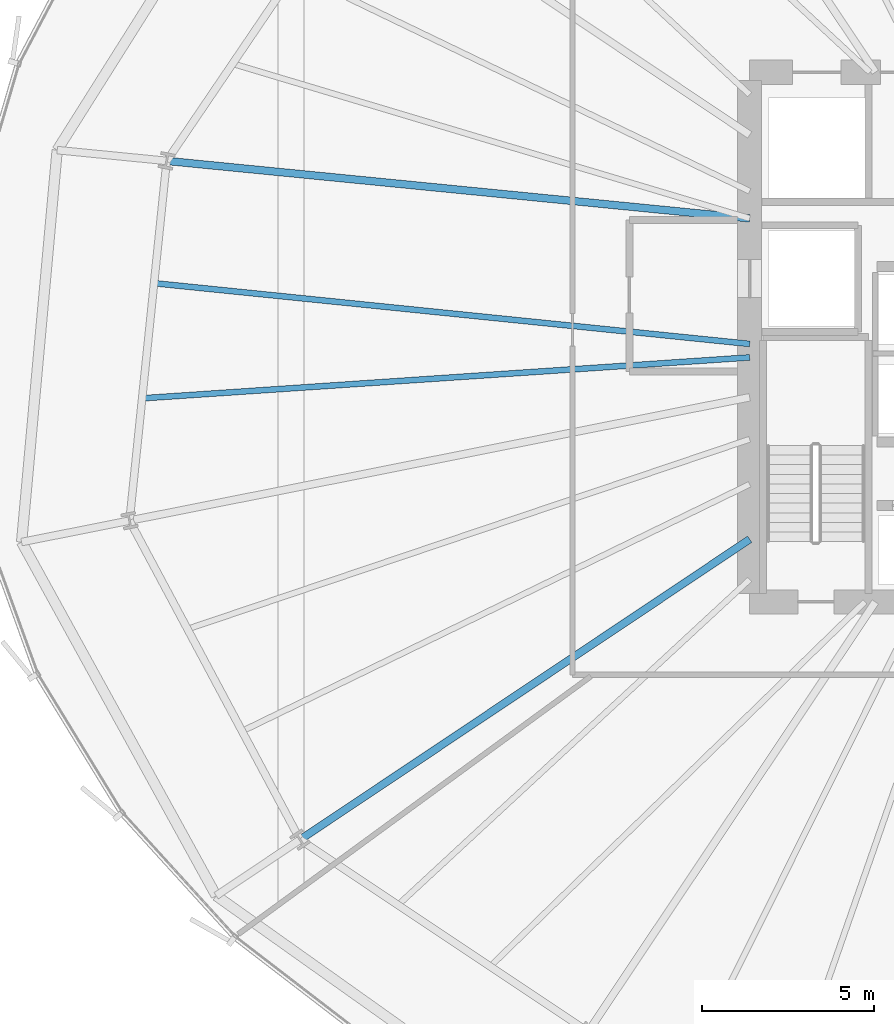
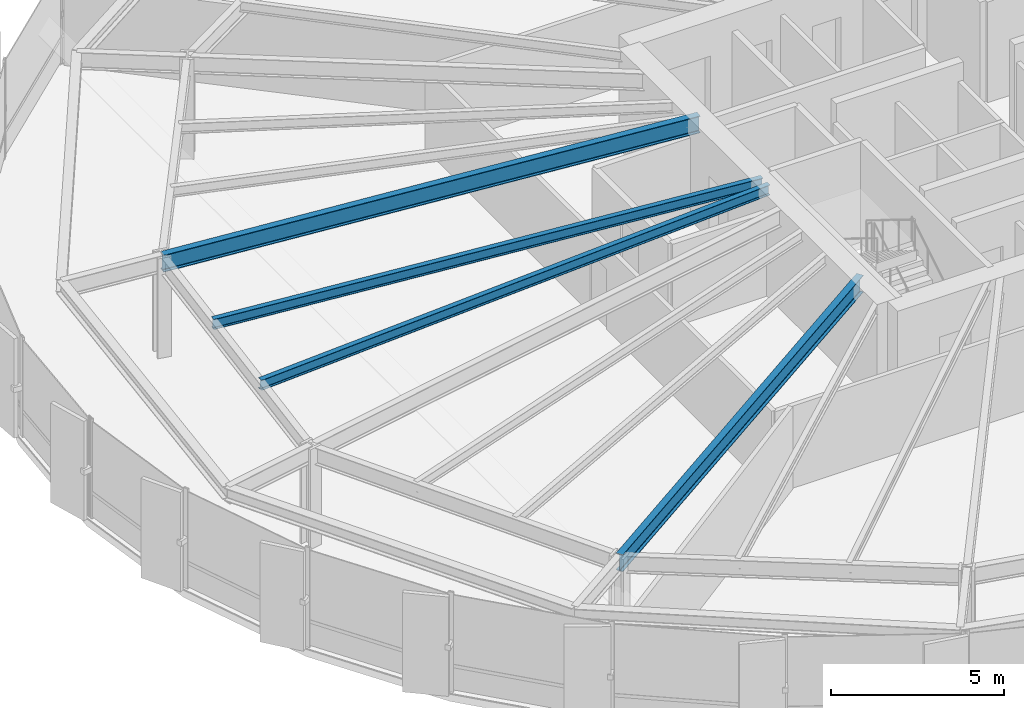
# One storey, part 10 of 42: 4 beams.
"""IFC4 building model written with IfcOpenShell, lengths in metres."""

from ifc_helpers import new_model, si_unit, direction, frame, origin, origin_2d, place, context, subcontext, project, spatial, i_section, extrude, source, transform, mapped, material, material_profile, profile_set, type_object, element, save


model = new_model("IFC4")

# Units and contexts
model_context = context("Model", 3, precision=1e-05, world=origin(), true_north=direction((0.0, 1.0)))
body_context = subcontext(model_context, "Body", "Model", "MODEL_VIEW")
ifc_project = project(units=[si_unit("LENGTHUNIT", "METRE"), si_unit("AREAUNIT", "SQUARE_METRE"), si_unit("VOLUMEUNIT", "CUBIC_METRE"), si_unit("PLANEANGLEUNIT", "RADIAN"), si_unit("MASSUNIT", "GRAM", prefix="KILO"), si_unit("THERMODYNAMICTEMPERATUREUNIT", "KELVIN")], contexts=[model_context])

# Site, building, storey
site_placement = place(None, origin())
site = spatial("IfcSite", under=ifc_project, at=site_placement, CompositionType="ELEMENT")
building_placement = place(site_placement, origin())
building = spatial("IfcBuilding", under=site, at=building_placement, Name="Kethvar Cultural Tower", CompositionType="ELEMENT")
storey_placement = place(building_placement, frame((0.0, 0.0, 37.199951171875)))
storey = spatial("IfcBuildingStorey", under=building, at=storey_placement, Name="L08", CompositionType="ELEMENT", Elevation=37.199951171875)

# Beams
ifc_material = material(Name="Steel S355J2", Category="steel")
ifc_material_profile_1 = material_profile(ifc_material, i_section(OverallWidth=0.219970703125, OverallDepth=0.60009765625, WebThickness=0.011962890625, FlangeThickness=0.01904296875, FilletRadius=0.02392578125, at=origin_2d()), Name="Steel S355J2 — IPE600")
ifc_profile_set_1 = profile_set([ifc_material_profile_1], Name="Steel S355J2 — IPE600")
beam_type_1 = type_object("IfcBeamType", Name="BM-IPE600", PredefinedType="BEAM", material=ifc_profile_set_1)
shared_shape_1 = source(origin(), body_context, "Body", "SweptSolid", [
    extrude(i_section(OverallWidth=0.219970703125, OverallDepth=0.60009765625, WebThickness=0.011962890625, FlangeThickness=0.01904296875, FilletRadius=0.02392578125, at=origin_2d()), origin(), (0.0, 0.0, 1.0), 17.03515625),
])
beam_1_placement = place(storey_placement, frame((38.0, 31.25, 3.248046875), z_axis=(-0.995168138859, 0.098185413375, 0.0), x_axis=(-0.098185413375, -0.995168138859, 0.0)))
element("IfcBeam", 1, at=beam_1_placement, inside=storey, type_object=beam_type_1, Name="L08 Primary Radial Beam RB-08", PredefinedType="BEAM", context=body_context, shape_type="MappedRepresentation", body=[
    mapped(shared_shape_1, transform((0.0, 0.0, 0.0), scale=1.0)),
])
shared_shape_2 = source(origin(), body_context, "Body", "SweptSolid", [
    extrude(i_section(OverallWidth=0.219970703125, OverallDepth=0.60009765625, WebThickness=0.011962890625, FlangeThickness=0.01904296875, FilletRadius=0.02392578125, at=origin_2d()), origin(), (0.0, 0.0, 1.0), 15.725341796875),
])
beam_2_placement = place(storey_placement, frame((38.0, 21.919921875, 3.248046875), z_axis=(-0.831469433959, -0.555570499929, 0.0), x_axis=(0.555570499929, -0.831469433959, 0.0)))
element("IfcBeam", 2, at=beam_2_placement, inside=storey, type_object=beam_type_1, Name="L08 Primary Radial Beam RB-10", PredefinedType="BEAM", context=body_context, shape_type="MappedRepresentation", body=[
    mapped(shared_shape_2, transform((0.0, 0.0, 0.0), scale=1.0)),
])
ifc_material_profile_2 = material_profile(ifc_material, i_section(OverallWidth=0.169921875, OverallDepth=0.360107421875, WebThickness=0.008056640625, FlangeThickness=0.0126953125, FilletRadius=0.01806640625, at=origin_2d()), Name="Steel S355J2 — IPE360")
ifc_profile_set_2 = profile_set([ifc_material_profile_2], Name="Steel S355J2 — IPE360")
beam_type_2 = type_object("IfcBeamType", Name="BM-J360", PredefinedType="JOIST", material=ifc_profile_set_2)
shared_shape_3 = source(origin(), body_context, "Body", "SweptSolid", [
    extrude(i_section(OverallWidth=0.169921875, OverallDepth=0.360107421875, WebThickness=0.008056640625, FlangeThickness=0.0126953125, FilletRadius=0.01806640625, at=origin_2d()), origin(), (0.0, 0.0, 1.0), 17.410400390625),
])
beam_3_placement = place(storey_placement, frame((38.0, 27.60009765625, 3.3681640625), z_axis=(-0.99484162516, 0.101440331474, 0.0), x_axis=(-0.101440331474, -0.99484162516, 0.0)))
element("IfcBeam", 3, at=beam_3_placement, inside=storey, type_object=beam_type_2, Name="L08 Composite Floor Joist J-08A", PredefinedType="JOIST", context=body_context, shape_type="MappedRepresentation", body=[
    mapped(shared_shape_3, transform((0.0, 0.0, 0.0), scale=1.0)),
])
shared_shape_4 = source(origin(), body_context, "Body", "SweptSolid", [
    extrude(i_section(OverallWidth=0.169921875, OverallDepth=0.360107421875, WebThickness=0.008056640625, FlangeThickness=0.0126953125, FilletRadius=0.01806640625, at=origin_2d()), origin(), (0.0, 0.0, 1.0), 17.70654296875),
])
beam_4_placement = place(storey_placement, frame((38.0, 27.207763671875, 3.3681640625), z_axis=(-0.997742984455, -0.067148618533, 0.0), x_axis=(0.067148618533, -0.997742984455, 0.0)))
element("IfcBeam", 4, at=beam_4_placement, inside=storey, type_object=beam_type_2, Name="L08 Composite Floor Joist J-08B", PredefinedType="JOIST", context=body_context, shape_type="MappedRepresentation", body=[
    mapped(shared_shape_4, transform((0.0, 0.0, 0.0), scale=1.0)),
])

save(model, "model.ifc")
